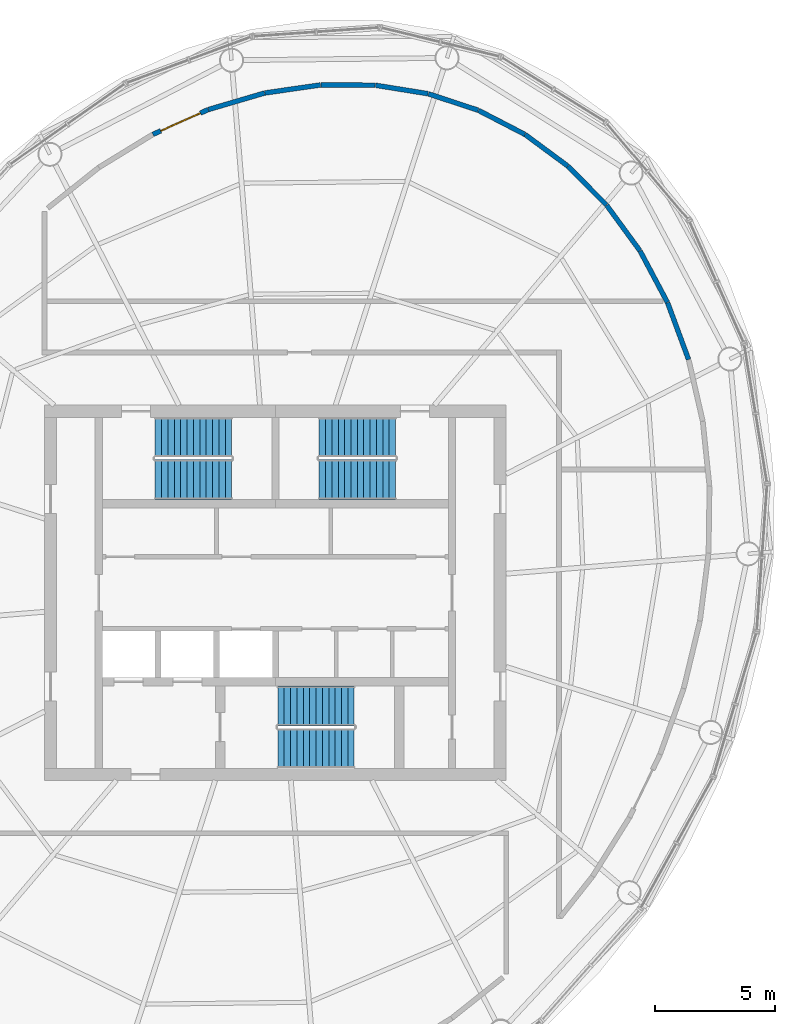
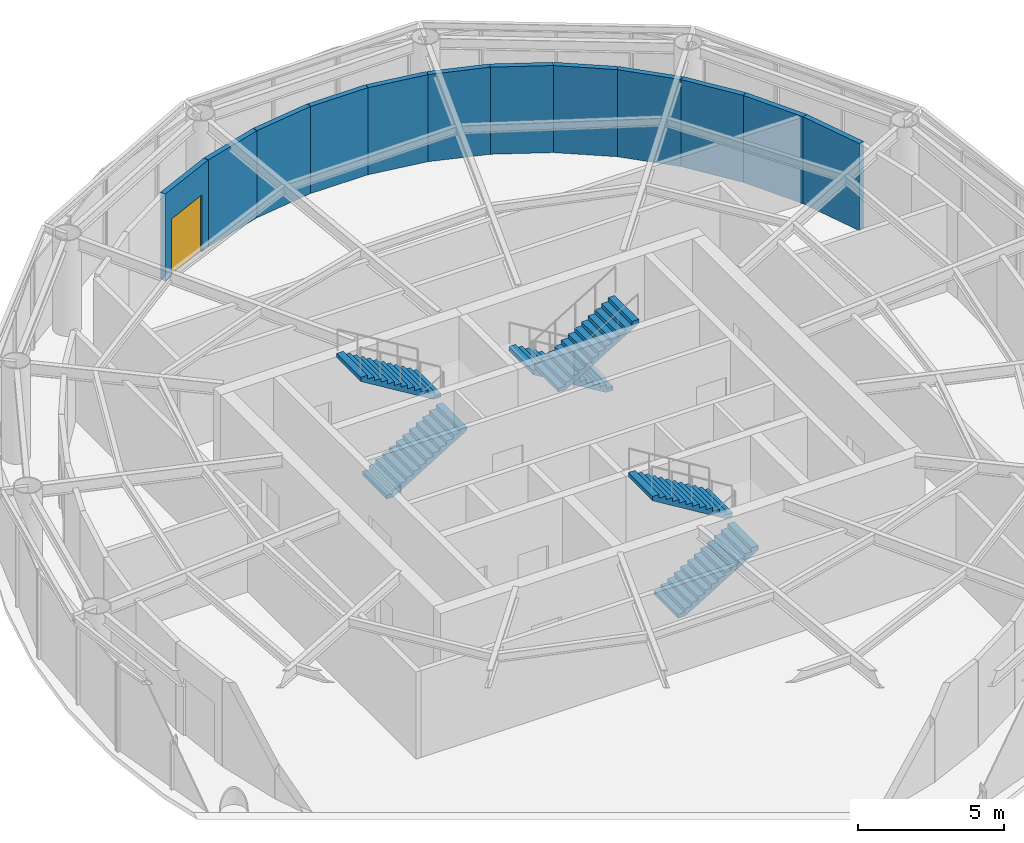
# One storey, part 10 of 11: 12 walls, 6 stair flights, 1 door, 1 opening, 3 elements without a shape of their own.
"""IFC4 building model written with IfcOpenShell, lengths in metres."""

from ifc_helpers import new_model, si_unit, direction, frame, frame_2d, origin, place, context, subcontext, project, spatial, polyline, rectangle, outline, extrude, material, layer, layer_set, type_object, element, fill, aggregate, save


model = new_model("IFC4")

# Units and contexts
model_context = context("Model", 3, precision=1e-05, world=origin(), true_north=direction((0.0, 1.0)))
body_context = subcontext(model_context, "Body", "Model", "MODEL_VIEW")
ifc_project = project(units=[si_unit("LENGTHUNIT", "METRE"), si_unit("AREAUNIT", "SQUARE_METRE"), si_unit("VOLUMEUNIT", "CUBIC_METRE"), si_unit("PLANEANGLEUNIT", "RADIAN"), si_unit("MASSUNIT", "GRAM", prefix="KILO")], contexts=[model_context])

# Site, building, storey
site_placement = place(None, origin())
site = spatial("IfcSite", under=ifc_project, at=site_placement, CompositionType="ELEMENT")
building_placement = place(site_placement, origin())
building = spatial("IfcBuilding", under=site, at=building_placement, Name="Vermilion Reach Broadcast Tower", CompositionType="ELEMENT")
storey_placement = place(building_placement, frame((0.0, 0.0, 321.300048828125)))
storey = spatial("IfcBuildingStorey", under=building, at=storey_placement, Name="L80 CROWN", CompositionType="ELEMENT", Elevation=321.300048828125)

# Walls
ifc_material_1 = material(Name="Gypsum board shaft wall")
ifc_layer = layer(ifc_material_1, 0.199951171875)
ifc_layer_set = layer_set([ifc_layer], Name="Plant room wall 200")
wall_type = type_object("IfcWallType", Name="Plant room wall 200", PredefinedType="PARTITIONING", material=ifc_layer_set)
wall_1_placement = place(storey_placement, frame((7.780029296875, 16.11865234375, 0.0), z_axis=(0.0, 0.0, 1.0), x_axis=(0.590082027637, -0.807343297897, 0.0)))
element("IfcWall", 1, at=wall_1_placement, inside=storey, type_object=wall_type, Name="sp.wall.L80 CROWN.007", PredefinedType="PARTITIONING", context=body_context, shape_type="SweptSolid", body=[
    extrude(rectangle(XDim=2.33837890625, YDim=0.199951171875, at=frame_2d((1.169189453125, 0.0))), origin(), (0.0, 0.0, 1.0), 3.64990234375),
])
wall_2_placement = place(storey_placement, frame((9.168212890625, 14.21923828125, 0.0), z_axis=(0.0, 0.0, 1.0), x_axis=(0.469611304199, -0.882873276846, 0.0)))
element("IfcWall", 2, at=wall_2_placement, inside=storey, type_object=wall_type, Name="sp.wall.L80 CROWN.008", PredefinedType="PARTITIONING", context=body_context, shape_type="SweptSolid", body=[
    extrude(rectangle(XDim=2.42626953125, YDim=0.199951171875, at=frame_2d((1.213134765625, 0.0))), origin(), (0.0, 0.0, 1.0), 3.64990234375),
])

# Wall, opening, door
wall_3_placement = place(storey_placement, frame((-8.7939453125, 20.097412109375, 0.0), z_axis=(0.0, 0.0, 1.0), x_axis=(-0.912552955942, -0.408958558538, 0.0)))
wall_3 = element("IfcWall", 3, at=wall_3_placement, inside=storey, type_object=wall_type, Name="sp.wall.L80 CROWN.011", PredefinedType="PARTITIONING", context=body_context, shape_type="SweptSolid", body=[
    extrude(rectangle(XDim=2.5205078125, YDim=0.199951171875, at=frame_2d((1.26025390625, 0.0))), origin(), (0.0, 0.0, 1.0), 3.64990234375),
])
opening_placement = place(wall_3_placement, frame((0.360107421875, 0.0, 0.0)))
opening = element("IfcOpeningElement", 4, at=opening_placement, cuts=wall_3, Name="Opening D53", PredefinedType="OPENING", context=body_context, shape_type="SweptSolid", body=[
    extrude(rectangle(XDim=1.800048828125, YDim=2.39990234375, at=frame_2d((0.89990234375, 1.199951171875))), frame((0.0, 0.10986328125, 0.0), z_axis=(0.0, -1.0, 0.0), x_axis=(1.0, 0.0, 0.0)), (0.0, 0.0, 1.0), 0.219970703125),
])
ifc_material_2 = material(Name="Timber and steel door set", Category="steel")
door_type = type_object("IfcDoorType", Name="Plant double door 1800x2400", OperationType="NOTDEFINED", PredefinedType="DOOR", material=ifc_material_2)
door_placement = place(opening_placement, origin())
door = element("IfcDoor", 5, at=door_placement, inside=storey, type_object=door_type, Name="sp.door.L80 CROWN.000", OperationType="DOUBLE_DOOR_SINGLE_SWING", OverallHeight=2.39990234375, OverallWidth=1.800048828125, PredefinedType="DOOR", context=body_context, shape_type="SweptSolid", body=[
    extrude(rectangle(XDim=1.800048828125, YDim=2.39990234375, at=frame_2d((0.89990234375, 1.199951171875))), frame((0.0, 0.02490234375, 0.0), z_axis=(0.0, -1.0, 0.0), x_axis=(1.0, 0.0, 0.0)), (0.0, 0.0, 1.0), 0.050048828125),
])
fill(opening, door)

# Walls
wall_4_placement = place(storey_placement, frame((-8.781005859375, 20.101318359375, 0.0), z_axis=(0.0, 0.0, 1.0), x_axis=(0.95934146389, 0.28224803925, 0.0)))
element("IfcWall", 6, at=wall_4_placement, inside=storey, type_object=wall_type, Name="sp.wall.L80 CROWN.012", PredefinedType="PARTITIONING", context=body_context, shape_type="SweptSolid", body=[
    extrude(rectangle(XDim=2.42626953125, YDim=0.199951171875, at=frame_2d((1.213134765625, 0.0))), origin(), (0.0, 0.0, 1.0), 3.64990234375),
])
wall_5_placement = place(storey_placement, frame((-6.439208984375, 20.7880859375, 0.0), z_axis=(0.0, 0.0, 1.0), x_axis=(0.989671979467, 0.143350525141, 0.0)))
element("IfcWall", 7, at=wall_5_placement, inside=storey, type_object=wall_type, Name="sp.wall.L80 CROWN.013", PredefinedType="PARTITIONING", context=body_context, shape_type="SweptSolid", body=[
    extrude(rectangle(XDim=2.33837890625, YDim=0.199951171875, at=frame_2d((1.169189453125, 0.0))), origin(), (0.0, 0.0, 1.0), 3.64990234375),
])
wall_6_placement = place(storey_placement, frame((-4.110107421875, 21.123046875, 0.0), z_axis=(0.0, 0.0, 1.0), x_axis=(0.999986603133, -0.005176248997, 0.0)))
element("IfcWall", 8, at=wall_6_placement, inside=storey, type_object=wall_type, Name="sp.wall.L80 CROWN.014", PredefinedType="PARTITIONING", context=body_context, shape_type="SweptSolid", body=[
    extrude(rectangle(XDim=2.263916015625, YDim=0.199951171875, at=frame_2d((1.1318359375, 0.0))), origin(), (0.0, 0.0, 1.0), 3.64990234375),
])
wall_7_placement = place(storey_placement, frame((-1.830810546875, 21.10888671875, 0.0), z_axis=(0.0, 0.0, 1.0), x_axis=(0.987257926423, -0.159128208423, 0.0)))
element("IfcWall", 9, at=wall_7_placement, inside=storey, type_object=wall_type, Name="sp.wall.L80 CROWN.015", PredefinedType="PARTITIONING", context=body_context, shape_type="SweptSolid", body=[
    extrude(rectangle(XDim=2.209228515625, YDim=0.199951171875, at=frame_2d((1.1044921875, 0.0))), origin(), (0.0, 0.0, 1.0), 3.64990234375),
])
wall_8_placement = place(storey_placement, frame((0.365478515625, 20.752197265625, 0.0), z_axis=(0.0, 0.0, 1.0), x_axis=(0.949852302688, -0.312698901627, 0.0)))
element("IfcWall", 10, at=wall_8_placement, inside=storey, type_object=wall_type, Name="sp.wall.L80 CROWN.016", PredefinedType="PARTITIONING", context=body_context, shape_type="SweptSolid", body=[
    extrude(rectangle(XDim=2.1806640625, YDim=0.199951171875, at=frame_2d((1.09033203125, 0.0))), origin(), (0.0, 0.0, 1.0), 3.64990234375),
])
wall_9_placement = place(storey_placement, frame((2.450927734375, 20.062744140625, 0.0), z_axis=(0.0, 0.0, 1.0), x_axis=(0.888068415533, -0.45971131086, 0.0)))
element("IfcWall", 11, at=wall_9_placement, inside=storey, type_object=wall_type, Name="sp.wall.L80 CROWN.017", PredefinedType="PARTITIONING", context=body_context, shape_type="SweptSolid", body=[
    extrude(rectangle(XDim=2.16455078125, YDim=0.199951171875, at=frame_2d((1.082275390625, 0.0))), origin(), (0.0, 0.0, 1.0), 3.64990234375),
])
wall_10_placement = place(storey_placement, frame((4.387451171875, 19.060302734375, 0.0), z_axis=(0.0, 0.0, 1.0), x_axis=(0.80443326696, -0.594043027909, 0.0)))
element("IfcWall", 12, at=wall_10_placement, inside=storey, type_object=wall_type, Name="sp.wall.L80 CROWN.018", PredefinedType="PARTITIONING", context=body_context, shape_type="SweptSolid", body=[
    extrude(rectangle(XDim=2.20947265625, YDim=0.199951171875, at=frame_2d((1.104736328125, 0.0))), origin(), (0.0, 0.0, 1.0), 3.64990234375),
])
wall_11_placement = place(storey_placement, frame((6.17724609375, 17.738525390625, 0.0), z_axis=(0.0, 0.0, 1.0), x_axis=(0.703376280453, -0.710817703843, 0.0)))
element("IfcWall", 13, at=wall_11_placement, inside=storey, type_object=wall_type, Name="sp.wall.L80 CROWN.019", PredefinedType="PARTITIONING", context=body_context, shape_type="SweptSolid", body=[
    extrude(rectangle(XDim=2.263671875, YDim=0.199951171875, at=frame_2d((1.1318359375, 0.0))), origin(), (0.0, 0.0, 1.0), 3.64990234375),
])
wall_12_placement = place(storey_placement, frame((10.31396484375, 12.065185546875, 0.0), z_axis=(0.0, 0.0, 1.0), x_axis=(0.34620358582, -0.938159409251, 0.0)))
element("IfcWall", 14, at=wall_12_placement, inside=storey, type_object=wall_type, Name="sp.wall.L80 CROWN.021", PredefinedType="PARTITIONING", context=body_context, shape_type="SweptSolid", body=[
    extrude(rectangle(XDim=2.520263671875, YDim=0.199951171875, at=frame_2d((1.26025390625, 0.0))), origin(), (0.0, 0.0, 1.0), 3.64990234375),
])

# Stair, stair flights
ifc_material_3 = material(Name="Concrete C40", Category="concrete")
stair_type = type_object("IfcStairType", Name="Exit stair RC 26 risers 162 mm", PredefinedType="HALF_TURN_STAIR", material=ifc_material_3)
placement = place(storey_placement, origin())
stair_1 = element("IfcStair", 15, at=placement, inside=storey, type_object=stair_type, Name="L80 CROWN Exit stair ST1", PredefinedType="HALF_TURN_STAIR")
ifc_material_4 = material(Name="Concrete C40", Category="concrete")
stair_flight_type = type_object("IfcStairFlightType", Name="Exit stair flight RC 13 risers", PredefinedType="STRAIGHT", material=ifc_material_4)
stair_flight_1_placement = place(storey_placement, frame((-11.0, 4.7099609375, 0.0), z_axis=(0.0, 0.0, 1.0), x_axis=(1.0, 0.0, 0.0)))
stair_flight_1 = element("IfcStairFlight", 16, at=stair_flight_1_placement, type_object=stair_flight_type, Name="ST1 flight 1", NumberOfRisers=13, NumberOfTreads=12, PredefinedType="STRAIGHT", RiserHeight=0.161538462, TreadLength=0.265, context=body_context, shape_type="SweptSolid", body=[
    extrude(outline(polyline([(0.0, 0.0), (0.0, 0.16162109375), (0.264892578125, 0.16162109375), (0.264892578125, 0.322998046875), (0.530029296875, 0.322998046875), (0.530029296875, 0.484619140625), (0.794921875, 0.484619140625), (0.794921875, 0.646240234375), (1.06005859375, 0.646240234375), (1.06005859375, 0.8076171875), (1.324951171875, 0.8076171875), (1.324951171875, 0.96923828125), (1.590087890625, 0.96923828125), (1.590087890625, 1.130859375), (1.85498046875, 1.130859375), (1.85498046875, 1.292236328125), (2.1201171875, 1.292236328125), (2.1201171875, 1.453857421875), (2.385009765625, 1.453857421875), (2.385009765625, 1.615478515625), (2.64990234375, 1.615478515625), (2.64990234375, 1.77685546875), (2.9150390625, 1.77685546875), (2.9150390625, 1.9384765625), (3.179931640625, 1.9384765625), (3.179931640625, 2.10009765625), (3.179931640625, 1.762939453125), (0.2880859375, 0.0), (0.0, 0.0)])), frame((0.0, 0.830078125, 0.0), z_axis=(0.0, -1.0, 0.0), x_axis=(1.0, 0.0, 0.0)), (0.0, 0.0, 1.0), 1.659912109375),
])
stair_flight_2_placement = place(storey_placement, frame((-7.820068359375, 6.469970703125, 2.099853515625), z_axis=(0.0, 0.0, 1.0), x_axis=(-1.0, 0.0, 0.0)))
stair_flight_2 = element("IfcStairFlight", 17, at=stair_flight_2_placement, type_object=stair_flight_type, Name="ST1 flight 2", NumberOfRisers=13, NumberOfTreads=12, PredefinedType="STRAIGHT", RiserHeight=0.161538462, TreadLength=0.265, context=body_context, shape_type="SweptSolid", body=[
    extrude(outline(polyline([(0.0, 0.0), (0.0, 0.16162109375), (0.264892578125, 0.16162109375), (0.264892578125, 0.322998046875), (0.530029296875, 0.322998046875), (0.530029296875, 0.484619140625), (0.794921875, 0.484619140625), (0.794921875, 0.646240234375), (1.06005859375, 0.646240234375), (1.06005859375, 0.8076171875), (1.324951171875, 0.8076171875), (1.324951171875, 0.96923828125), (1.590087890625, 0.96923828125), (1.590087890625, 1.130859375), (1.85498046875, 1.130859375), (1.85498046875, 1.292236328125), (2.1201171875, 1.292236328125), (2.1201171875, 1.453857421875), (2.385009765625, 1.453857421875), (2.385009765625, 1.615478515625), (2.64990234375, 1.615478515625), (2.64990234375, 1.77685546875), (2.9150390625, 1.77685546875), (2.9150390625, 1.9384765625), (3.179931640625, 1.9384765625), (3.179931640625, 2.10009765625), (3.179931640625, 1.762939453125), (0.2880859375, 0.0), (0.0, 0.0)])), frame((0.0, 0.830078125, 0.0), z_axis=(0.0, -1.0, 0.0), x_axis=(1.0, 0.0, 0.0)), (0.0, 0.0, 1.0), 1.659912109375),
])
aggregate(stair_1, [stair_flight_1, stair_flight_2])

stair_2 = element("IfcStair", 18, at=placement, inside=storey, type_object=stair_type, Name="L80 CROWN Exit stair ST2", PredefinedType="HALF_TURN_STAIR")
stair_flight_3_placement = place(storey_placement, frame((-1.0, 6.469970703125, 0.0), z_axis=(0.0, 0.0, 1.0), x_axis=(-1.0, 0.0, 0.0)))
stair_flight_3 = element("IfcStairFlight", 19, at=stair_flight_3_placement, type_object=stair_flight_type, Name="ST2 flight 1", NumberOfRisers=13, NumberOfTreads=12, PredefinedType="STRAIGHT", RiserHeight=0.161538462, TreadLength=0.265, context=body_context, shape_type="SweptSolid", body=[
    extrude(outline(polyline([(0.0, 0.0), (0.0, 0.16162109375), (0.264892578125, 0.16162109375), (0.264892578125, 0.322998046875), (0.530029296875, 0.322998046875), (0.530029296875, 0.484619140625), (0.794921875, 0.484619140625), (0.794921875, 0.646240234375), (1.06005859375, 0.646240234375), (1.06005859375, 0.8076171875), (1.324951171875, 0.8076171875), (1.324951171875, 0.96923828125), (1.590087890625, 0.96923828125), (1.590087890625, 1.130859375), (1.85498046875, 1.130859375), (1.85498046875, 1.292236328125), (2.1201171875, 1.292236328125), (2.1201171875, 1.453857421875), (2.385009765625, 1.453857421875), (2.385009765625, 1.615478515625), (2.64990234375, 1.615478515625), (2.64990234375, 1.77685546875), (2.9150390625, 1.77685546875), (2.9150390625, 1.9384765625), (3.179931640625, 1.9384765625), (3.179931640625, 2.10009765625), (3.179931640625, 1.762939453125), (0.2880859375, 0.0), (0.0, 0.0)])), frame((0.0, 0.830078125, 0.0), z_axis=(0.0, -1.0, 0.0), x_axis=(1.0, 0.0, 0.0)), (0.0, 0.0, 1.0), 1.659912109375),
])
stair_flight_4_placement = place(storey_placement, frame((-4.179931640625, 4.7099609375, 2.099853515625), z_axis=(0.0, 0.0, 1.0), x_axis=(1.0, 0.0, 0.0)))
stair_flight_4 = element("IfcStairFlight", 20, at=stair_flight_4_placement, type_object=stair_flight_type, Name="ST2 flight 2", NumberOfRisers=13, NumberOfTreads=12, PredefinedType="STRAIGHT", RiserHeight=0.161538462, TreadLength=0.265, context=body_context, shape_type="SweptSolid", body=[
    extrude(outline(polyline([(0.0, 0.0), (0.0, 0.16162109375), (0.264892578125, 0.16162109375), (0.264892578125, 0.322998046875), (0.530029296875, 0.322998046875), (0.530029296875, 0.484619140625), (0.794921875, 0.484619140625), (0.794921875, 0.646240234375), (1.06005859375, 0.646240234375), (1.06005859375, 0.8076171875), (1.324951171875, 0.8076171875), (1.324951171875, 0.96923828125), (1.590087890625, 0.96923828125), (1.590087890625, 1.130859375), (1.85498046875, 1.130859375), (1.85498046875, 1.292236328125), (2.1201171875, 1.292236328125), (2.1201171875, 1.453857421875), (2.385009765625, 1.453857421875), (2.385009765625, 1.615478515625), (2.64990234375, 1.615478515625), (2.64990234375, 1.77685546875), (2.9150390625, 1.77685546875), (2.9150390625, 1.9384765625), (3.179931640625, 1.9384765625), (3.179931640625, 2.10009765625), (3.179931640625, 1.762939453125), (0.2880859375, 0.0), (0.0, 0.0)])), frame((0.0, 0.830078125, 0.0), z_axis=(0.0, -1.0, 0.0), x_axis=(1.0, 0.0, 0.0)), (0.0, 0.0, 1.0), 1.659912109375),
])
aggregate(stair_2, [stair_flight_3, stair_flight_4])

stair_3 = element("IfcStair", 21, at=placement, inside=storey, type_object=stair_type, Name="L80 CROWN Exit stair ST3", PredefinedType="HALF_TURN_STAIR")
stair_flight_5_placement = place(storey_placement, frame((-5.89990234375, -6.469970703125, 0.0), z_axis=(0.0, 0.0, 1.0), x_axis=(1.0, 0.0, 0.0)))
stair_flight_5 = element("IfcStairFlight", 22, at=stair_flight_5_placement, type_object=stair_flight_type, Name="ST3 flight 1", NumberOfRisers=13, NumberOfTreads=12, PredefinedType="STRAIGHT", RiserHeight=0.161538462, TreadLength=0.265, context=body_context, shape_type="SweptSolid", body=[
    extrude(outline(polyline([(0.0, 0.0), (0.0, 0.16162109375), (0.264892578125, 0.16162109375), (0.264892578125, 0.322998046875), (0.530029296875, 0.322998046875), (0.530029296875, 0.484619140625), (0.794921875, 0.484619140625), (0.794921875, 0.646240234375), (1.06005859375, 0.646240234375), (1.06005859375, 0.8076171875), (1.324951171875, 0.8076171875), (1.324951171875, 0.96923828125), (1.590087890625, 0.96923828125), (1.590087890625, 1.130859375), (1.85498046875, 1.130859375), (1.85498046875, 1.292236328125), (2.1201171875, 1.292236328125), (2.1201171875, 1.453857421875), (2.385009765625, 1.453857421875), (2.385009765625, 1.615478515625), (2.64990234375, 1.615478515625), (2.64990234375, 1.77685546875), (2.9150390625, 1.77685546875), (2.9150390625, 1.9384765625), (3.179931640625, 1.9384765625), (3.179931640625, 2.10009765625), (3.179931640625, 1.762939453125), (0.2880859375, 0.0), (0.0, 0.0)])), frame((0.0, 0.830078125, 0.0), z_axis=(0.0, -1.0, 0.0), x_axis=(1.0, 0.0, 0.0)), (0.0, 0.0, 1.0), 1.659912109375),
])
stair_flight_6_placement = place(storey_placement, frame((-2.719970703125, -4.7099609375, 2.099853515625), z_axis=(0.0, 0.0, 1.0), x_axis=(-1.0, 0.0, 0.0)))
stair_flight_6 = element("IfcStairFlight", 23, at=stair_flight_6_placement, type_object=stair_flight_type, Name="ST3 flight 2", NumberOfRisers=13, NumberOfTreads=12, PredefinedType="STRAIGHT", RiserHeight=0.161538462, TreadLength=0.265, context=body_context, shape_type="SweptSolid", body=[
    extrude(outline(polyline([(0.0, 0.0), (0.0, 0.16162109375), (0.264892578125, 0.16162109375), (0.264892578125, 0.322998046875), (0.530029296875, 0.322998046875), (0.530029296875, 0.484619140625), (0.794921875, 0.484619140625), (0.794921875, 0.646240234375), (1.06005859375, 0.646240234375), (1.06005859375, 0.8076171875), (1.324951171875, 0.8076171875), (1.324951171875, 0.96923828125), (1.590087890625, 0.96923828125), (1.590087890625, 1.130859375), (1.85498046875, 1.130859375), (1.85498046875, 1.292236328125), (2.1201171875, 1.292236328125), (2.1201171875, 1.453857421875), (2.385009765625, 1.453857421875), (2.385009765625, 1.615478515625), (2.64990234375, 1.615478515625), (2.64990234375, 1.77685546875), (2.9150390625, 1.77685546875), (2.9150390625, 1.9384765625), (3.179931640625, 1.9384765625), (3.179931640625, 2.10009765625), (3.179931640625, 1.762939453125), (0.2880859375, 0.0), (0.0, 0.0)])), frame((0.0, 0.830078125, 0.0), z_axis=(0.0, -1.0, 0.0), x_axis=(1.0, 0.0, 0.0)), (0.0, 0.0, 1.0), 1.659912109375),
])
aggregate(stair_3, [stair_flight_5, stair_flight_6])

save(model, "model.ifc")
